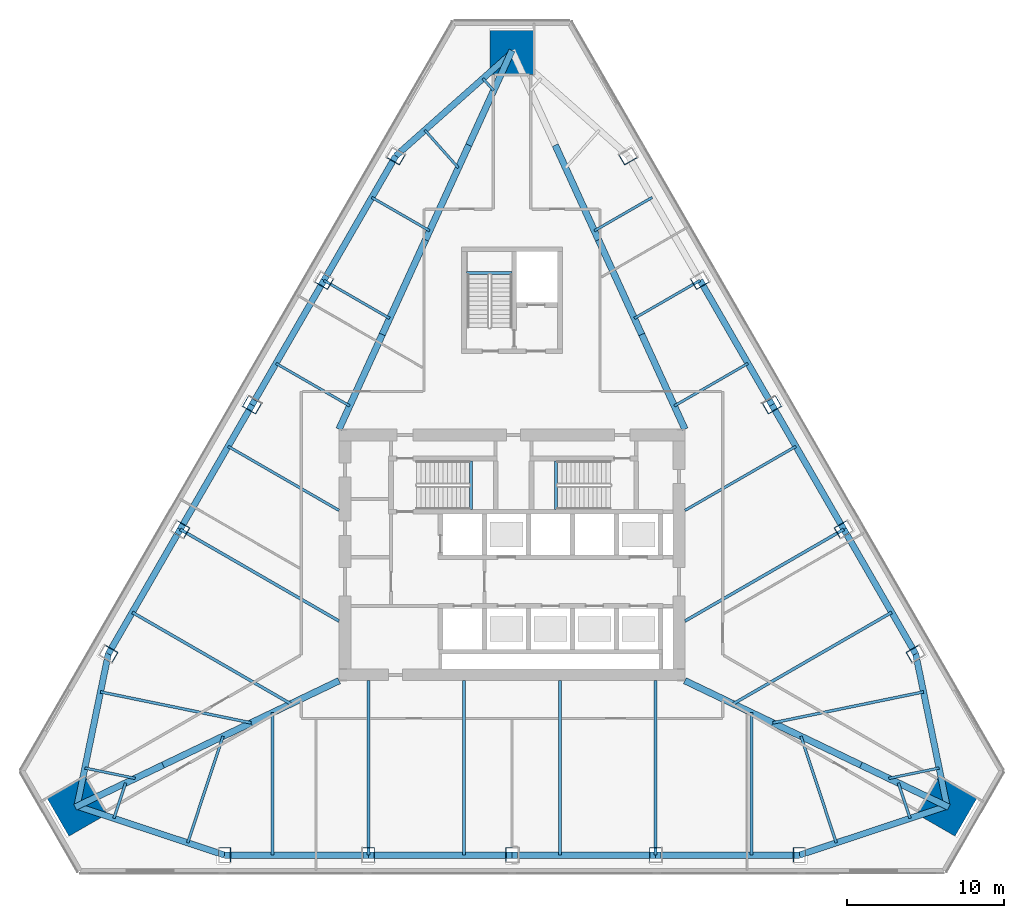
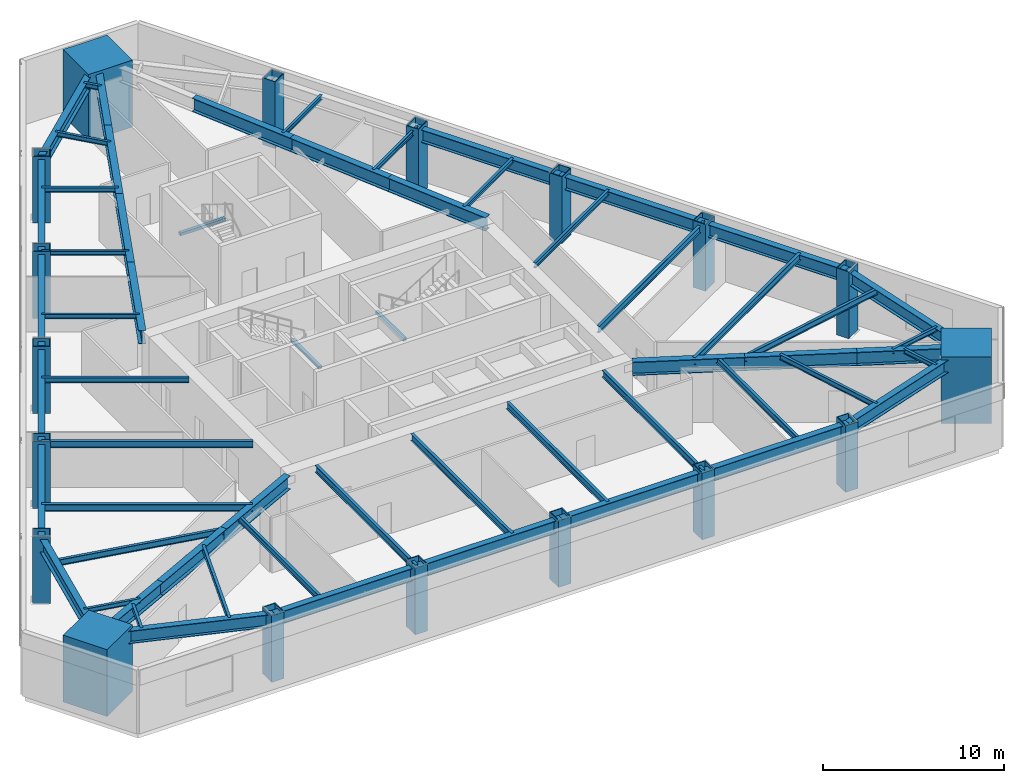
# One storey, part 1 of 14: 31 beams, 29 members, 18 columns.
"""IFC4 building model written with IfcOpenShell, lengths in metres."""

from ifc_helpers import new_model, si_unit, direction, frame, origin, origin_2d, place, context, subcontext, project, spatial, rectangle, hollow_rectangle, i_section, extrude, material, material_profile, profile_set, type_object, element, save


model = new_model("IFC4")

# Units and contexts
model_context = context("Model", 3, precision=1e-05, world=origin(), true_north=direction((0.0, 1.0)))
body_context = subcontext(model_context, "Body", "Model", "MODEL_VIEW")
ifc_project = project(units=[si_unit("LENGTHUNIT", "METRE"), si_unit("AREAUNIT", "SQUARE_METRE"), si_unit("VOLUMEUNIT", "CUBIC_METRE"), si_unit("PLANEANGLEUNIT", "RADIAN"), si_unit("MASSUNIT", "GRAM", prefix="KILO")], contexts=[model_context])

# Site, building, storey
site_placement = place(None, origin())
site = spatial("IfcSite", under=ifc_project, at=site_placement, CompositionType="ELEMENT")
building_placement = place(site_placement, origin())
building = spatial("IfcBuilding", under=site, at=building_placement, Name="Firuza Gate Tower and Library", CompositionType="ELEMENT")
storey_placement = place(building_placement, frame((0.0, 0.0, 151.300048828125)))
storey = spatial("IfcBuildingStorey", under=building, at=storey_placement, Name="L34", CompositionType="ELEMENT", Elevation=151.300048828125)

# Columns
ifc_material_1 = material(Name="Steel S355", Category="steel")
ifc_material_profile_1 = material_profile(ifc_material_1, hollow_rectangle(XDim=0.800048828125, YDim=1.0, WallThickness=0.050048828125, at=origin_2d()))
ifc_profile_set_1 = profile_set([ifc_material_profile_1], Name="Steel S355")
column_type_1 = type_object("IfcColumnType", Name="BU1000x800x50 Composite box column", PredefinedType="COLUMN", material=ifc_profile_set_1)
for number, where, z_axis, x_axis, name in (
    (1, (56.716552734375, 55.9091796875, -0.00048828125), (0.0, 0.0, 1.0), (1.0, 0.0, 0.0), "Column S1 L34"),
    (2, (65.8583984375, 55.9091796875, -0.00048828125), (0.0, 0.0, 1.0), (1.0, 0.0, 0.0), "Column S2 L34"),
    (3, (75.0, 55.9091796875, -0.00048828125), (0.0, 0.0, 1.0), (1.0, 0.0, 0.0), "Column S3 L34"),
    (4, (84.1416015625, 55.9091796875, -0.00048828125), (0.0, 0.0, 1.0), (1.0, 0.0, 0.0), "Column S4 L34"),
    (5, (93.283447265625, 55.9091796875, -0.00048828125), (0.0, 0.0, 1.0), (1.0, 0.0, 0.0), "Column S5 L34"),
    (6, (100.6748046875, 68.71142578125, -0.00048828125), (0.0, 0.0, 1.0), (-0.5, 0.866025403784, 0.0), "Column E1 L34"),
    (7, (96.10400390625, 76.62841796875, -0.00048828125), (0.0, 0.0, 1.0), (-0.5, 0.866025403784, 0.0), "Column E2 L34"),
    (8, (91.532958984375, 84.54541015625, -0.00048828125), (0.0, 0.0, 1.0), (-0.5, 0.866025403784, 0.0), "Column E3 L34"),
    (9, (86.962158203125, 92.46240234375, -0.00048828125), (0.0, 0.0, 1.0), (-0.5, 0.866025403784, 0.0), "Column E4 L34"),
    (10, (82.391357421875, 100.379150390625, -0.00048828125), (0.0, 0.0, 1.0), (-0.5, 0.866025403784, 0.0), "Column E5 L34"),
    (11, (67.608642578125, 100.379150390625, -0.00048828125), (0.0, 0.0, 1.0), (-0.5, -0.866025403784, 0.0), "Column W1 L34"),
    (12, (63.037841796875, 92.46240234375, -0.00048828125), (0.0, 0.0, 1.0), (-0.5, -0.866025403784, 0.0), "Column W2 L34"),
    (13, (58.467041015625, 84.54541015625, -0.00048828125), (0.0, 0.0, 1.0), (-0.5, -0.866025403784, 0.0), "Column W3 L34"),
    (14, (53.89599609375, 76.62841796875, -0.00048828125), (0.0, 0.0, 1.0), (-0.5, -0.866025403784, 0.0), "Column W4 L34"),
    (15, (49.3251953125, 68.71142578125, -0.00048828125), (0.0, 0.0, 1.0), (-0.5, -0.866025403784, 0.0), "Column W5 L34"),
):
    element("IfcColumn", number, at=place(storey_placement, frame(where, z_axis=z_axis, x_axis=x_axis)), inside=storey, type_object=column_type_1, Name=name, PredefinedType="COLUMN", context=body_context, shape_type="SweptSolid", body=[
        extrude(hollow_rectangle(XDim=0.800048828125, YDim=1.0, WallThickness=0.050048828125, at=origin_2d()), origin(), (0.0, 0.0, 1.0), 4.50048828125),
    ])
ifc_material_2 = material(Name="Concrete C80/95", Category="concrete")
ifc_material_profile_2 = material_profile(ifc_material_2, rectangle(XDim=2.800048828125, YDim=2.800048828125, at=origin_2d()))
ifc_profile_set_2 = profile_set([ifc_material_profile_2], Name="Concrete C80/95")
column_type_2 = type_object("IfcColumnType", Name="Mega column 2800x2800 C80/95", PredefinedType="COLUMN", material=ifc_profile_set_2)
for number, where, z_axis, x_axis, name in (
    (16, (102.666259765625, 59.02685546875, 0.0), (0.0, 0.0, 1.0), (0.5, 0.866025403784, 0.0), "Mega column SE L34"),
    (17, (75.0, 106.946044921875, 0.0), (0.0, 0.0, 1.0), (-1.0, 0.0, 0.0), "Mega column N L34"),
    (18, (47.333740234375, 59.02685546875, 0.0), (0.0, 0.0, 1.0), (0.5, -0.866025403784, 0.0), "Mega column SW L34"),
):
    element("IfcColumn", number, at=place(storey_placement, frame(where, z_axis=z_axis, x_axis=x_axis)), inside=storey, type_object=column_type_2, Name=name, PredefinedType="COLUMN", context=body_context, shape_type="SweptSolid", body=[
        extrude(rectangle(XDim=2.800048828125, YDim=2.800048828125, at=origin_2d()), origin(), (0.0, 0.0, 1.0), 4.5),
    ])

# Beams
ifc_material_3 = material(Name="Concrete C35/45", Category="concrete")
ifc_material_profile_3 = material_profile(ifc_material_3, rectangle(XDim=0.199951171875, YDim=0.199951171875, at=origin_2d()))
ifc_profile_set_3 = profile_set([ifc_material_profile_3], Name="Concrete C35/45")
beam_type_1 = type_object("IfcBeamType", Name="Stair landing bearer 200x200", PredefinedType="BEAM", material=ifc_profile_set_3)
for number, where, z_axis, x_axis, name in (
    (19, (72.39990234375, 77.89990234375, 1.949951171875), (0.0, 1.0, 0.0), (-1.0, 0.0, 0.0), "Landing bearer L34 stair 1"),
    (20, (77.800048828125, 80.97998046875, 1.949951171875), (0.0, -1.0, 0.0), (1.0, 0.0, 0.0), "Landing bearer L34 stair 2"),
):
    element("IfcBeam", number, at=place(storey_placement, frame(where, z_axis=z_axis, x_axis=x_axis)), inside=storey, type_object=beam_type_1, Name=name, PredefinedType="BEAM", context=body_context, shape_type="SweptSolid", body=[
        extrude(rectangle(XDim=0.199951171875, YDim=0.199951171875, at=origin_2d()), origin(), (0.0, 0.0, 1.0), 3.080078125),
    ])
beam_1_placement = place(storey_placement, frame((75.0, 92.929931640625, 1.949951171875), z_axis=(-1.0, 0.0, 0.0), x_axis=(0.0, -1.0, 0.0)))
element("IfcBeam", 21, at=beam_1_placement, inside=storey, type_object=beam_type_1, Name="Landing bearer L34 stair 3", PredefinedType="BEAM", context=body_context, shape_type="SweptSolid", body=[
    extrude(rectangle(XDim=0.199951171875, YDim=0.199951171875, at=origin_2d()), origin(), (0.0, 0.0, 1.0), 2.89990234375),
])
ifc_material_4 = material(Name="Steel S355", Category="steel")
ifc_material_profile_4 = material_profile(ifc_material_4, i_section(OverallWidth=0.1650390625, OverallDepth=0.31005859375, WebThickness=0.005859375, FlangeThickness=0.009765625, at=origin_2d()))
ifc_profile_set_4 = profile_set([ifc_material_profile_4], Name="Steel S355")
beam_type_2 = type_object("IfcBeamType", Name="W310x39 Floor beam", PredefinedType="JOIST", material=ifc_profile_set_4)
beam_2_placement = place(storey_placement, frame((47.831787109375, 61.447998046875, 4.14501953125), z_axis=(0.97951637689, -0.201364513765, 0.0), x_axis=(0.201364513765, 0.97951637689, 0.0)))
element("IfcBeam", 22, at=beam_2_placement, inside=storey, type_object=beam_type_2, Name="Floor beam L34 s01", PredefinedType="JOIST", context=body_context, shape_type="SweptSolid", body=[
    extrude(i_section(OverallWidth=0.1650390625, OverallDepth=0.31005859375, WebThickness=0.005859375, FlangeThickness=0.009765625, at=origin_2d()), origin(), (0.0, 0.0, 1.0), 3.2724609375),
])
for number, where, z_axis, x_axis, name in (
    (23, (49.679443359375, 58.24755859375, 4.14501953125), (0.3154241554, 0.948950790184, 0.0), (-0.948950790184, 0.3154241554, 0.0), "Floor beam L34 s10"),
    (24, (100.320556640625, 58.24755859375, 4.14501953125), (-0.3154241554, 0.948950790184, 0.0), (-0.948950790184, -0.3154241554, 0.0), "Floor beam L34 s31"),
):
    element("IfcBeam", number, at=place(storey_placement, frame(where, z_axis=z_axis, x_axis=x_axis)), inside=storey, type_object=beam_type_2, Name=name, PredefinedType="JOIST", context=body_context, shape_type="SweptSolid", body=[
        extrude(i_section(OverallWidth=0.1650390625, OverallDepth=0.31005859375, WebThickness=0.005859375, FlangeThickness=0.009765625, at=origin_2d()), origin(), (0.0, 0.0, 1.0), 2.3701171875),
    ])
beam_3_placement = place(storey_placement, frame((102.168212890625, 61.447998046875, 4.14501953125), z_axis=(-0.97951637689, -0.201364513765, 0.0), x_axis=(0.201364513765, -0.97951637689, 0.0)))
element("IfcBeam", 25, at=beam_3_placement, inside=storey, type_object=beam_type_2, Name="Floor beam L34 s40", PredefinedType="JOIST", context=body_context, shape_type="SweptSolid", body=[
    extrude(i_section(OverallWidth=0.1650390625, OverallDepth=0.31005859375, WebThickness=0.005859375, FlangeThickness=0.009765625, at=origin_2d()), origin(), (0.0, 0.0, 1.0), 3.2724609375),
])
beam_4_placement = place(storey_placement, frame((90.009521484375, 87.184326171875, 4.14501953125), z_axis=(-0.866032275808, -0.499988097117, 0.0), x_axis=(0.499988097117, -0.866032275808, 0.0)))
element("IfcBeam", 26, at=beam_4_placement, inside=storey, type_object=beam_type_2, Name="Floor beam L34 s53", PredefinedType="JOIST", context=body_context, shape_type="SweptSolid", body=[
    extrude(i_section(OverallWidth=0.1650390625, OverallDepth=0.31005859375, WebThickness=0.005859375, FlangeThickness=0.009765625, at=origin_2d()), origin(), (0.0, 0.0, 1.0), 5.409912109375),
])
beam_5_placement = place(storey_placement, frame((86.962158203125, 92.46240234375, 4.14501953125), z_axis=(-0.866015461751, -0.500017219711, 0.0), x_axis=(0.500017219711, -0.866015461751, 0.0)))
element("IfcBeam", 27, at=beam_5_placement, inside=storey, type_object=beam_type_2, Name="Floor beam L34 s54", PredefinedType="JOIST", context=body_context, shape_type="SweptSolid", body=[
    extrude(i_section(OverallWidth=0.1650390625, OverallDepth=0.31005859375, WebThickness=0.005859375, FlangeThickness=0.009765625, at=origin_2d()), origin(), (0.0, 0.0, 1.0), 4.827392578125),
])
beam_6_placement = place(storey_placement, frame((83.9150390625, 97.740234375, 4.14501953125), z_axis=(-0.866033315223, -0.499986296736, 0.0), x_axis=(0.499986296736, -0.866033315223, 0.0)))
element("IfcBeam", 28, at=beam_6_placement, inside=storey, type_object=beam_type_2, Name="Floor beam L34 s55", PredefinedType="JOIST", context=body_context, shape_type="SweptSolid", body=[
    extrude(i_section(OverallWidth=0.1650390625, OverallDepth=0.31005859375, WebThickness=0.005859375, FlangeThickness=0.009765625, at=origin_2d()), origin(), (0.0, 0.0, 1.0), 4.2451171875),
])
beam_7_placement = place(storey_placement, frame((73.152099609375, 105.304443359375, 4.14501953125), z_axis=(0.664142420678, -0.747606076123, 0.0), x_axis=(0.747606076123, 0.664142420678, 0.0)))
element("IfcBeam", 29, at=beam_7_placement, inside=storey, type_object=beam_type_2, Name="Floor beam L34 s70", PredefinedType="JOIST", context=body_context, shape_type="SweptSolid", body=[
    extrude(i_section(OverallWidth=0.1650390625, OverallDepth=0.31005859375, WebThickness=0.005859375, FlangeThickness=0.009765625, at=origin_2d()), origin(), (0.0, 0.0, 1.0), 1.026611328125),
])
beam_8_placement = place(storey_placement, frame((69.45654296875, 102.02099609375, 4.14501953125), z_axis=(0.664170319262, -0.74758129124, 0.0), x_axis=(0.74758129124, 0.664170319262, 0.0)))
element("IfcBeam", 30, at=beam_8_placement, inside=storey, type_object=beam_type_2, Name="Floor beam L34 s71", PredefinedType="JOIST", context=body_context, shape_type="SweptSolid", body=[
    extrude(i_section(OverallWidth=0.1650390625, OverallDepth=0.31005859375, WebThickness=0.005859375, FlangeThickness=0.009765625, at=origin_2d()), origin(), (0.0, 0.0, 1.0), 3.2109375),
])
beam_9_placement = place(storey_placement, frame((66.0849609375, 97.740234375, 4.14501953125), z_axis=(0.866033315223, -0.499986296736, 0.0), x_axis=(0.499986296736, 0.866033315223, 0.0)))
element("IfcBeam", 31, at=beam_9_placement, inside=storey, type_object=beam_type_2, Name="Floor beam L34 s80", PredefinedType="JOIST", context=body_context, shape_type="SweptSolid", body=[
    extrude(i_section(OverallWidth=0.1650390625, OverallDepth=0.31005859375, WebThickness=0.005859375, FlangeThickness=0.009765625, at=origin_2d()), origin(), (0.0, 0.0, 1.0), 4.2451171875),
])
beam_10_placement = place(storey_placement, frame((63.037841796875, 92.46240234375, 4.14501953125), z_axis=(0.866015461751, -0.500017219711, 0.0), x_axis=(0.500017219711, 0.866015461751, 0.0)))
element("IfcBeam", 32, at=beam_10_placement, inside=storey, type_object=beam_type_2, Name="Floor beam L34 s81", PredefinedType="JOIST", context=body_context, shape_type="SweptSolid", body=[
    extrude(i_section(OverallWidth=0.1650390625, OverallDepth=0.31005859375, WebThickness=0.005859375, FlangeThickness=0.009765625, at=origin_2d()), origin(), (0.0, 0.0, 1.0), 4.827392578125),
])
beam_11_placement = place(storey_placement, frame((59.990478515625, 87.184326171875, 4.14501953125), z_axis=(0.866032275808, -0.499988097117, 0.0), x_axis=(0.499988097117, 0.866032275808, 0.0)))
element("IfcBeam", 33, at=beam_11_placement, inside=storey, type_object=beam_type_2, Name="Floor beam L34 s82", PredefinedType="JOIST", context=body_context, shape_type="SweptSolid", body=[
    extrude(i_section(OverallWidth=0.1650390625, OverallDepth=0.31005859375, WebThickness=0.005859375, FlangeThickness=0.009765625, at=origin_2d()), origin(), (0.0, 0.0, 1.0), 5.409912109375),
])
ifc_material_5 = material(Name="Steel S355", Category="steel")
ifc_material_profile_5 = material_profile(ifc_material_5, i_section(OverallWidth=0.1708984375, OverallDepth=0.35498046875, WebThickness=0.007080078125, FlangeThickness=0.01171875, at=origin_2d()))
ifc_profile_set_5 = profile_set([ifc_material_profile_5], Name="Steel S355")
beam_type_3 = type_object("IfcBeamType", Name="W360x51 Floor beam", PredefinedType="JOIST", material=ifc_profile_set_5)
for number, where, z_axis, x_axis, name in (
    (34, (54.370849609375, 56.688720703125, 4.12255859375), (0.315325033619, 0.948983731775, 0.0), (-0.948983731775, 0.315325033619, 0.0), "Floor beam L34 s11"),
    (35, (95.629150390625, 56.688720703125, 4.12255859375), (-0.315325033619, 0.948983731775, 0.0), (-0.948983731775, -0.315325033619, 0.0), "Floor beam L34 s30"),
):
    element("IfcBeam", number, at=place(storey_placement, frame(where, z_axis=z_axis, x_axis=x_axis)), inside=storey, type_object=beam_type_3, Name=name, PredefinedType="JOIST", context=body_context, shape_type="SweptSolid", body=[
        extrude(i_section(OverallWidth=0.1708984375, OverallDepth=0.35498046875, WebThickness=0.007080078125, FlangeThickness=0.01171875, at=origin_2d()), origin(), (0.0, 0.0, 1.0), 7.140869140625),
    ])
for number, where, z_axis, x_axis, name in (
    (36, (93.056640625, 81.906494140625, 4.12255859375), (-0.866021929094, -0.500006018292, 0.0), (0.500006018292, -0.866021929094, 0.0), "Floor beam L34 s52"),
    (37, (56.943359375, 81.906494140625, 4.12255859375), (0.866021929094, -0.500006018292, 0.0), (0.500006018292, 0.866021929094, 0.0), "Floor beam L34 s83"),
):
    element("IfcBeam", number, at=place(storey_placement, frame(where, z_axis=z_axis, x_axis=x_axis)), inside=storey, type_object=beam_type_3, Name=name, PredefinedType="JOIST", context=body_context, shape_type="SweptSolid", body=[
        extrude(i_section(OverallWidth=0.1708984375, OverallDepth=0.35498046875, WebThickness=0.007080078125, FlangeThickness=0.01171875, at=origin_2d()), origin(), (0.0, 0.0, 1.0), 8.1484375),
    ])
ifc_material_6 = material(Name="Steel S355", Category="steel")
ifc_material_profile_6 = material_profile(ifc_material_6, i_section(OverallWidth=0.177978515625, OverallDepth=0.406982421875, WebThickness=0.0078125, FlangeThickness=0.0126953125, at=origin_2d()))
ifc_profile_set_6 = profile_set([ifc_material_profile_6], Name="Steel S355")
beam_type_4 = type_object("IfcBeamType", Name="W410x60 Floor beam", PredefinedType="JOIST", material=ifc_profile_set_6)
beam_12_placement = place(storey_placement, frame((48.827392578125, 66.290283203125, 4.096435546875), z_axis=(0.979510371792, -0.201393722722, 0.0), x_axis=(0.201393722722, 0.979510371792, 0.0)))
element("IfcBeam", 38, at=beam_12_placement, inside=storey, type_object=beam_type_4, Name="Floor beam L34 s00", PredefinedType="JOIST", context=body_context, shape_type="SweptSolid", body=[
    extrude(i_section(OverallWidth=0.177978515625, OverallDepth=0.406982421875, WebThickness=0.0078125, FlangeThickness=0.0126953125, at=origin_2d()), origin(), (0.0, 0.0, 1.0), 9.780517578125),
])
for number, where, z_axis, x_axis, name in (
    (39, (59.763916015625, 55.9091796875, 4.096435546875), (0.0, 1.0, 0.0), (-1.0, 0.0, 0.0), "Floor beam L34 s20"),
    (40, (90.236083984375, 55.9091796875, 4.096435546875), (0.0, 1.0, 0.0), (-1.0, 0.0, 0.0), "Floor beam L34 s25"),
):
    element("IfcBeam", number, at=place(storey_placement, frame(where, z_axis=z_axis, x_axis=x_axis)), inside=storey, type_object=beam_type_4, Name=name, PredefinedType="JOIST", context=body_context, shape_type="SweptSolid", body=[
        extrude(i_section(OverallWidth=0.177978515625, OverallDepth=0.406982421875, WebThickness=0.0078125, FlangeThickness=0.0126953125, at=origin_2d()), origin(), (0.0, 0.0, 1.0), 9.06103515625),
    ])
beam_13_placement = place(storey_placement, frame((101.172607421875, 66.290283203125, 4.096435546875), z_axis=(-0.979510371792, -0.201393722722, 0.0), x_axis=(0.201393722722, -0.979510371792, 0.0)))
element("IfcBeam", 41, at=beam_13_placement, inside=storey, type_object=beam_type_4, Name="Floor beam L34 s41", PredefinedType="JOIST", context=body_context, shape_type="SweptSolid", body=[
    extrude(i_section(OverallWidth=0.177978515625, OverallDepth=0.406982421875, WebThickness=0.0078125, FlangeThickness=0.0126953125, at=origin_2d()), origin(), (0.0, 0.0, 1.0), 9.780517578125),
])
ifc_material_7 = material(Name="Steel S355", Category="steel")
ifc_material_profile_7 = material_profile(ifc_material_7, i_section(OverallWidth=0.18994140625, OverallDepth=0.45703125, WebThickness=0.009033203125, FlangeThickness=0.014404296875, at=origin_2d()))
ifc_profile_set_7 = profile_set([ifc_material_profile_7], Name="Steel S355")
beam_type_5 = type_object("IfcBeamType", Name="W460x74 Floor beam", PredefinedType="JOIST", material=ifc_profile_set_7)
for number, where, z_axis, x_axis, name in (
    (42, (65.8583984375, 55.9091796875, 4.071533203125), (0.0, 1.0, 0.0), (-1.0, 0.0, 0.0), "Floor beam L34 s21"),
    (43, (71.952880859375, 55.9091796875, 4.071533203125), (0.0, 1.0, 0.0), (-1.0, 0.0, 0.0), "Floor beam L34 s22"),
    (44, (78.047119140625, 55.9091796875, 4.071533203125), (0.0, 1.0, 0.0), (-1.0, 0.0, 0.0), "Floor beam L34 s23"),
    (45, (84.1416015625, 55.9091796875, 4.071533203125), (0.0, 1.0, 0.0), (-1.0, 0.0, 0.0), "Floor beam L34 s24"),
):
    element("IfcBeam", number, at=place(storey_placement, frame(where, z_axis=z_axis, x_axis=x_axis)), inside=storey, type_object=beam_type_5, Name=name, PredefinedType="JOIST", context=body_context, shape_type="SweptSolid", body=[
        extrude(i_section(OverallWidth=0.18994140625, OverallDepth=0.45703125, WebThickness=0.009033203125, FlangeThickness=0.014404296875, at=origin_2d()), origin(), (0.0, 0.0, 1.0), 11.0908203125),
    ])
beam_14_placement = place(storey_placement, frame((99.151123046875, 71.3505859375, 4.071533203125), z_axis=(-0.866023897016, -0.500002609791, 0.0), x_axis=(0.500002609791, -0.866023897016, 0.0)))
element("IfcBeam", 46, at=beam_14_placement, inside=storey, type_object=beam_type_5, Name="Floor beam L34 s50", PredefinedType="JOIST", context=body_context, shape_type="SweptSolid", body=[
    extrude(i_section(OverallWidth=0.18994140625, OverallDepth=0.45703125, WebThickness=0.009033203125, FlangeThickness=0.014404296875, at=origin_2d()), origin(), (0.0, 0.0, 1.0), 11.64208984375),
])
for number, where, z_axis, x_axis, name in (
    (47, (96.10400390625, 76.62841796875, 4.071533203125), (-0.866027381269, -0.499996574881, 0.0), (0.499996574881, -0.866027381269, 0.0), "Floor beam L34 s51"),
    (48, (53.89599609375, 76.62841796875, 4.071533203125), (0.866027381269, -0.499996574881, 0.0), (0.499996574881, 0.866027381269, 0.0), "Floor beam L34 s84"),
):
    element("IfcBeam", number, at=place(storey_placement, frame(where, z_axis=z_axis, x_axis=x_axis)), inside=storey, type_object=beam_type_5, Name=name, PredefinedType="JOIST", context=body_context, shape_type="SweptSolid", body=[
        extrude(i_section(OverallWidth=0.18994140625, OverallDepth=0.45703125, WebThickness=0.009033203125, FlangeThickness=0.014404296875, at=origin_2d()), origin(), (0.0, 0.0, 1.0), 11.6669921875),
    ])
beam_15_placement = place(storey_placement, frame((50.848876953125, 71.3505859375, 4.071533203125), z_axis=(0.866023897016, -0.500002609791, 0.0), x_axis=(0.500002609791, 0.866023897016, 0.0)))
element("IfcBeam", 49, at=beam_15_placement, inside=storey, type_object=beam_type_5, Name="Floor beam L34 s85", PredefinedType="JOIST", context=body_context, shape_type="SweptSolid", body=[
    extrude(i_section(OverallWidth=0.18994140625, OverallDepth=0.45703125, WebThickness=0.009033203125, FlangeThickness=0.014404296875, at=origin_2d()), origin(), (0.0, 0.0, 1.0), 11.64208984375),
])

# Members
ifc_material_8 = material(Name="Steel S355", Category="steel")
ifc_material_profile_8 = material_profile(ifc_material_8, i_section(OverallWidth=0.39990234375, OverallDepth=0.85498046875, WebThickness=0.018310546875, FlangeThickness=0.029296875, at=origin_2d()))
ifc_profile_set_8 = profile_set([ifc_material_profile_8], Name="Steel S355")
member_type_1 = type_object("IfcMemberType", Name="W840x299 Belt truss chord", PredefinedType="CHORD", material=ifc_profile_set_8)
for number, where, z_axis, x_axis, name in (
    (50, (49.3251953125, 68.71142578125, 3.87255859375), (-0.201417423392, -0.979505498481, 0.0), (0.979505498481, -0.201417423392, 0.0), "Belt truss top chord L33 1"),
    (51, (47.333740234375, 59.02685546875, 3.87255859375), (0.948984116702, -0.315323875163, 0.0), (0.315323875163, 0.948984116702, 0.0), "Belt truss top chord L33 2"),
):
    element("IfcMember", number, at=place(storey_placement, frame(where, z_axis=z_axis, x_axis=x_axis)), inside=storey, type_object=member_type_1, Name=name, PredefinedType="CHORD", context=body_context, shape_type="SweptSolid", body=[
        extrude(i_section(OverallWidth=0.39990234375, OverallDepth=0.85498046875, WebThickness=0.018310546875, FlangeThickness=0.029296875, at=origin_2d()), origin(), (0.0, 0.0, 1.0), 9.88720703125),
    ])
member_1_placement = place(storey_placement, frame((56.716552734375, 55.9091796875, 3.87255859375), z_axis=(1.0, 0.0, 0.0), x_axis=(0.0, 1.0, 0.0)))
element("IfcMember", 52, at=member_1_placement, inside=storey, type_object=member_type_1, Name="Belt truss top chord L33 3", PredefinedType="CHORD", context=body_context, shape_type="SweptSolid", body=[
    extrude(i_section(OverallWidth=0.39990234375, OverallDepth=0.85498046875, WebThickness=0.018310546875, FlangeThickness=0.029296875, at=origin_2d()), origin(), (0.0, 0.0, 1.0), 9.141845703125),
])
for number, where, z_axis, x_axis, name in (
    (53, (65.8583984375, 55.9091796875, 3.87255859375), (1.0, 0.0, 0.0), (0.0, 1.0, 0.0), "Belt truss top chord L33 4"),
    (54, (75.0, 55.9091796875, 3.87255859375), (1.0, 0.0, 0.0), (0.0, 1.0, 0.0), "Belt truss top chord L33 5"),
):
    element("IfcMember", number, at=place(storey_placement, frame(where, z_axis=z_axis, x_axis=x_axis)), inside=storey, type_object=member_type_1, Name=name, PredefinedType="CHORD", context=body_context, shape_type="SweptSolid", body=[
        extrude(i_section(OverallWidth=0.39990234375, OverallDepth=0.85498046875, WebThickness=0.018310546875, FlangeThickness=0.029296875, at=origin_2d()), origin(), (0.0, 0.0, 1.0), 9.1416015625),
    ])
member_2_placement = place(storey_placement, frame((84.1416015625, 55.9091796875, 3.87255859375), z_axis=(1.0, 0.0, 0.0), x_axis=(0.0, 1.0, 0.0)))
element("IfcMember", 55, at=member_2_placement, inside=storey, type_object=member_type_1, Name="Belt truss top chord L33 6", PredefinedType="CHORD", context=body_context, shape_type="SweptSolid", body=[
    extrude(i_section(OverallWidth=0.39990234375, OverallDepth=0.85498046875, WebThickness=0.018310546875, FlangeThickness=0.029296875, at=origin_2d()), origin(), (0.0, 0.0, 1.0), 9.141845703125),
])
for number, where, z_axis, x_axis, name in (
    (56, (93.283447265625, 55.9091796875, 3.87255859375), (0.948984116702, 0.315323875163, 0.0), (-0.315323875163, 0.948984116702, 0.0), "Belt truss top chord L33 7"),
    (57, (102.666259765625, 59.02685546875, 3.87255859375), (-0.201417423392, 0.979505498481, 0.0), (-0.979505498481, -0.201417423392, 0.0), "Belt truss top chord L33 8"),
):
    element("IfcMember", number, at=place(storey_placement, frame(where, z_axis=z_axis, x_axis=x_axis)), inside=storey, type_object=member_type_1, Name=name, PredefinedType="CHORD", context=body_context, shape_type="SweptSolid", body=[
        extrude(i_section(OverallWidth=0.39990234375, OverallDepth=0.85498046875, WebThickness=0.018310546875, FlangeThickness=0.029296875, at=origin_2d()), origin(), (0.0, 0.0, 1.0), 9.88720703125),
    ])
member_3_placement = place(storey_placement, frame((100.6748046875, 68.71142578125, 3.87255859375), z_axis=(-0.499993700073, 0.866029041019, 0.0), x_axis=(-0.866029041019, -0.499993700073, 0.0)))
element("IfcMember", 58, at=member_3_placement, inside=storey, type_object=member_type_1, Name="Belt truss top chord L33 9", PredefinedType="CHORD", context=body_context, shape_type="SweptSolid", body=[
    extrude(i_section(OverallWidth=0.39990234375, OverallDepth=0.85498046875, WebThickness=0.018310546875, FlangeThickness=0.029296875, at=origin_2d()), origin(), (0.0, 0.0, 1.0), 9.1416015625),
])
member_4_placement = place(storey_placement, frame((96.10400390625, 76.62841796875, 3.87255859375), z_axis=(-0.500013729499, 0.86601747691, 0.0), x_axis=(-0.86601747691, -0.500013729499, 0.0)))
element("IfcMember", 59, at=member_4_placement, inside=storey, type_object=member_type_1, Name="Belt truss top chord L33 10", PredefinedType="CHORD", context=body_context, shape_type="SweptSolid", body=[
    extrude(i_section(OverallWidth=0.39990234375, OverallDepth=0.85498046875, WebThickness=0.018310546875, FlangeThickness=0.029296875, at=origin_2d()), origin(), (0.0, 0.0, 1.0), 9.141845703125),
])
member_5_placement = place(storey_placement, frame((91.532958984375, 84.54541015625, 3.87255859375), z_axis=(-0.499993700073, 0.866029041019, 0.0), x_axis=(-0.866029041019, -0.499993700073, 0.0)))
element("IfcMember", 60, at=member_5_placement, inside=storey, type_object=member_type_1, Name="Belt truss top chord L33 11", PredefinedType="CHORD", context=body_context, shape_type="SweptSolid", body=[
    extrude(i_section(OverallWidth=0.39990234375, OverallDepth=0.85498046875, WebThickness=0.018310546875, FlangeThickness=0.029296875, at=origin_2d()), origin(), (0.0, 0.0, 1.0), 9.1416015625),
])
member_6_placement = place(storey_placement, frame((75.0, 106.946044921875, 3.87255859375), z_axis=(-0.747570054486, -0.664182966988, 0.0), x_axis=(0.664182966988, -0.747570054486, 0.0)))
element("IfcMember", 61, at=member_6_placement, inside=storey, type_object=member_type_1, Name="Belt truss top chord L33 14", PredefinedType="CHORD", context=body_context, shape_type="SweptSolid", body=[
    extrude(i_section(OverallWidth=0.39990234375, OverallDepth=0.85498046875, WebThickness=0.018310546875, FlangeThickness=0.029296875, at=origin_2d()), origin(), (0.0, 0.0, 1.0), 9.88720703125),
])
for number, where, z_axis, x_axis, name in (
    (62, (67.608642578125, 100.379150390625, 3.87255859375), (-0.500005264327, -0.866022364402, 0.0), (0.866022364402, -0.500005264327, 0.0), "Belt truss top chord L33 15"),
    (63, (63.037841796875, 92.46240234375, 3.87255859375), (-0.499993700073, -0.866029041019, 0.0), (0.866029041019, -0.499993700073, 0.0), "Belt truss top chord L33 16"),
):
    element("IfcMember", number, at=place(storey_placement, frame(where, z_axis=z_axis, x_axis=x_axis)), inside=storey, type_object=member_type_1, Name=name, PredefinedType="CHORD", context=body_context, shape_type="SweptSolid", body=[
        extrude(i_section(OverallWidth=0.39990234375, OverallDepth=0.85498046875, WebThickness=0.018310546875, FlangeThickness=0.029296875, at=origin_2d()), origin(), (0.0, 0.0, 1.0), 9.1416015625),
    ])
member_7_placement = place(storey_placement, frame((58.467041015625, 84.54541015625, 3.87255859375), z_axis=(-0.500013729499, -0.86601747691, 0.0), x_axis=(0.86601747691, -0.500013729499, 0.0)))
element("IfcMember", 64, at=member_7_placement, inside=storey, type_object=member_type_1, Name="Belt truss top chord L33 17", PredefinedType="CHORD", context=body_context, shape_type="SweptSolid", body=[
    extrude(i_section(OverallWidth=0.39990234375, OverallDepth=0.85498046875, WebThickness=0.018310546875, FlangeThickness=0.029296875, at=origin_2d()), origin(), (0.0, 0.0, 1.0), 9.141845703125),
])
member_8_placement = place(storey_placement, frame((53.89599609375, 76.62841796875, 3.87255859375), z_axis=(-0.499993700073, -0.866029041019, 0.0), x_axis=(0.866029041019, -0.499993700073, 0.0)))
element("IfcMember", 65, at=member_8_placement, inside=storey, type_object=member_type_1, Name="Belt truss top chord L33 18", PredefinedType="CHORD", context=body_context, shape_type="SweptSolid", body=[
    extrude(i_section(OverallWidth=0.39990234375, OverallDepth=0.85498046875, WebThickness=0.018310546875, FlangeThickness=0.029296875, at=origin_2d()), origin(), (0.0, 0.0, 1.0), 9.1416015625),
])
ifc_material_9 = material(Name="Steel S355", Category="steel")
ifc_material_profile_9 = material_profile(ifc_material_9, i_section(OverallWidth=0.41796875, OverallDepth=0.912109375, WebThickness=0.019287109375, FlangeThickness=0.031982421875, at=origin_2d()))
ifc_profile_set_9 = profile_set([ifc_material_profile_9], Name="Steel S355")
member_type_2 = type_object("IfcMemberType", Name="W920x342 Outrigger chord", PredefinedType="CHORD", material=ifc_profile_set_9)
member_9_placement = place(storey_placement, frame((64.0, 83.0, 3.843994140625), z_axis=(0.41535536852, 0.909659231713, 0.0), x_axis=(-0.909659231713, 0.41535536852, 0.0)))
element("IfcMember", 66, at=member_9_placement, inside=storey, type_object=member_type_2, Name="Outrigger NW L33 top chord 1", PredefinedType="CHORD", context=body_context, shape_type="SweptSolid", body=[
    extrude(i_section(OverallWidth=0.41796875, OverallDepth=0.912109375, WebThickness=0.019287109375, FlangeThickness=0.031982421875, at=origin_2d()), origin(), (0.0, 0.0, 1.0), 6.620849609375),
])
member_10_placement = place(storey_placement, frame((66.75, 89.022705078125, 3.843994140625), z_axis=(0.415369301333, 0.909652869786, 0.0), x_axis=(-0.909652869786, 0.415369301333, 0.0)))
element("IfcMember", 67, at=member_10_placement, inside=storey, type_object=member_type_2, Name="Outrigger NW L33 top chord 2", PredefinedType="CHORD", context=body_context, shape_type="SweptSolid", body=[
    extrude(i_section(OverallWidth=0.41796875, OverallDepth=0.912109375, WebThickness=0.019287109375, FlangeThickness=0.031982421875, at=origin_2d()), origin(), (0.0, 0.0, 1.0), 6.62060546875),
])
for number, where, z_axis, x_axis, name in (
    (68, (69.5, 95.045166015625, 3.843994140625), (0.41535536852, 0.909659231713, 0.0), (-0.909659231713, 0.41535536852, 0.0), "Outrigger NW L33 top chord 3"),
    (69, (72.25, 101.06787109375, 3.843994140625), (0.41535536852, 0.909659231713, 0.0), (-0.909659231713, 0.41535536852, 0.0), "Outrigger NW L33 top chord 4"),
    (70, (86.0, 83.0, 3.843994140625), (-0.41535536852, 0.909659231713, 0.0), (-0.909659231713, -0.41535536852, 0.0), "Outrigger NE L33 top chord 1"),
):
    element("IfcMember", number, at=place(storey_placement, frame(where, z_axis=z_axis, x_axis=x_axis)), inside=storey, type_object=member_type_2, Name=name, PredefinedType="CHORD", context=body_context, shape_type="SweptSolid", body=[
        extrude(i_section(OverallWidth=0.41796875, OverallDepth=0.912109375, WebThickness=0.019287109375, FlangeThickness=0.031982421875, at=origin_2d()), origin(), (0.0, 0.0, 1.0), 6.620849609375),
    ])
member_11_placement = place(storey_placement, frame((83.25, 89.022705078125, 3.843994140625), z_axis=(-0.415369301333, 0.909652869786, 0.0), x_axis=(-0.909652869786, -0.415369301333, 0.0)))
element("IfcMember", 71, at=member_11_placement, inside=storey, type_object=member_type_2, Name="Outrigger NE L33 top chord 2", PredefinedType="CHORD", context=body_context, shape_type="SweptSolid", body=[
    extrude(i_section(OverallWidth=0.41796875, OverallDepth=0.912109375, WebThickness=0.019287109375, FlangeThickness=0.031982421875, at=origin_2d()), origin(), (0.0, 0.0, 1.0), 6.62060546875),
])
member_12_placement = place(storey_placement, frame((80.5, 95.045166015625, 3.843994140625), z_axis=(-0.41535536852, 0.909659231713, 0.0), x_axis=(-0.909659231713, -0.41535536852, 0.0)))
element("IfcMember", 72, at=member_12_placement, inside=storey, type_object=member_type_2, Name="Outrigger NE L33 top chord 3", PredefinedType="CHORD", context=body_context, shape_type="SweptSolid", body=[
    extrude(i_section(OverallWidth=0.41796875, OverallDepth=0.912109375, WebThickness=0.019287109375, FlangeThickness=0.031982421875, at=origin_2d()), origin(), (0.0, 0.0, 1.0), 6.620849609375),
])
for number, where, z_axis, x_axis, name in (
    (73, (86.0, 67.0, 3.843994140625), (0.901837105439, -0.432076191492, 0.0), (0.432076191492, 0.901837105439, 0.0), "Outrigger SE L33 top chord 1"),
    (74, (91.59716796875, 64.318359375, 3.843994140625), (0.901814431887, -0.432123512946, 0.0), (0.432123512946, 0.901814431887, 0.0), "Outrigger SE L33 top chord 2"),
    (75, (97.194091796875, 61.636474609375, 3.843994140625), (0.901837105439, -0.432076191492, 0.0), (0.432076191492, 0.901837105439, 0.0), "Outrigger SE L33 top chord 3"),
    (76, (64.0, 67.0, 3.843994140625), (-0.901837105439, -0.432076191492, 0.0), (0.432076191492, -0.901837105439, 0.0), "Outrigger SW L33 top chord 1"),
    (77, (58.40283203125, 64.318359375, 3.843994140625), (-0.901814431887, -0.432123512946, 0.0), (0.432123512946, -0.901814431887, 0.0), "Outrigger SW L33 top chord 2"),
    (78, (52.805908203125, 61.636474609375, 3.843994140625), (-0.901837105439, -0.432076191492, 0.0), (0.432076191492, -0.901837105439, 0.0), "Outrigger SW L33 top chord 3"),
):
    element("IfcMember", number, at=place(storey_placement, frame(where, z_axis=z_axis, x_axis=x_axis)), inside=storey, type_object=member_type_2, Name=name, PredefinedType="CHORD", context=body_context, shape_type="SweptSolid", body=[
        extrude(i_section(OverallWidth=0.41796875, OverallDepth=0.912109375, WebThickness=0.019287109375, FlangeThickness=0.031982421875, at=origin_2d()), origin(), (0.0, 0.0, 1.0), 6.206298828125),
    ])

save(model, "model.ifc")
